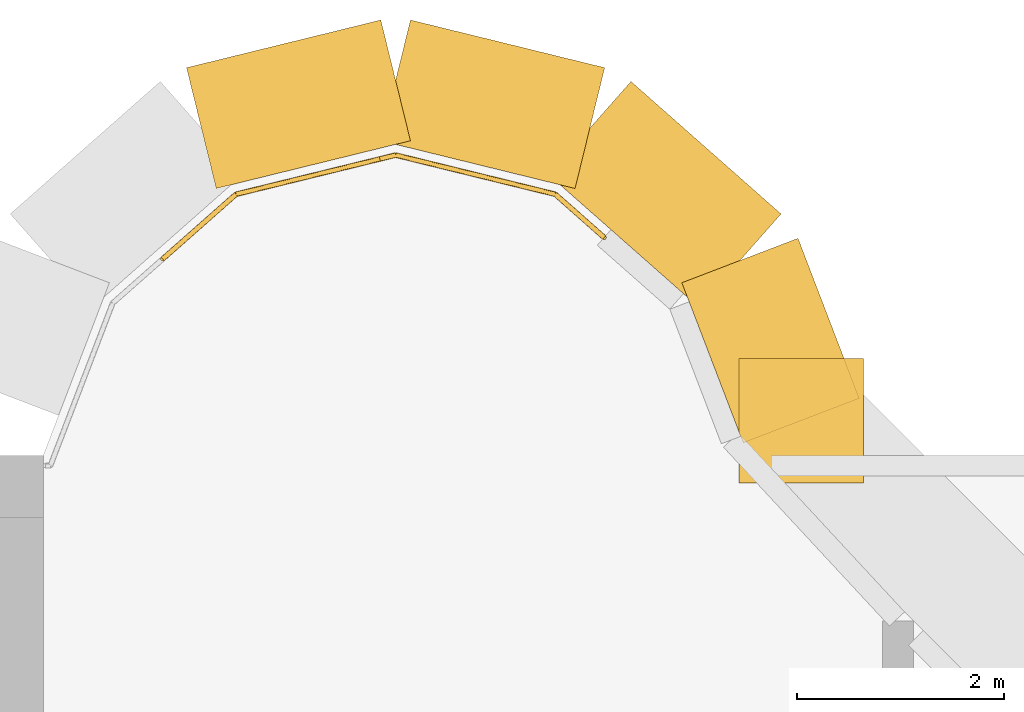
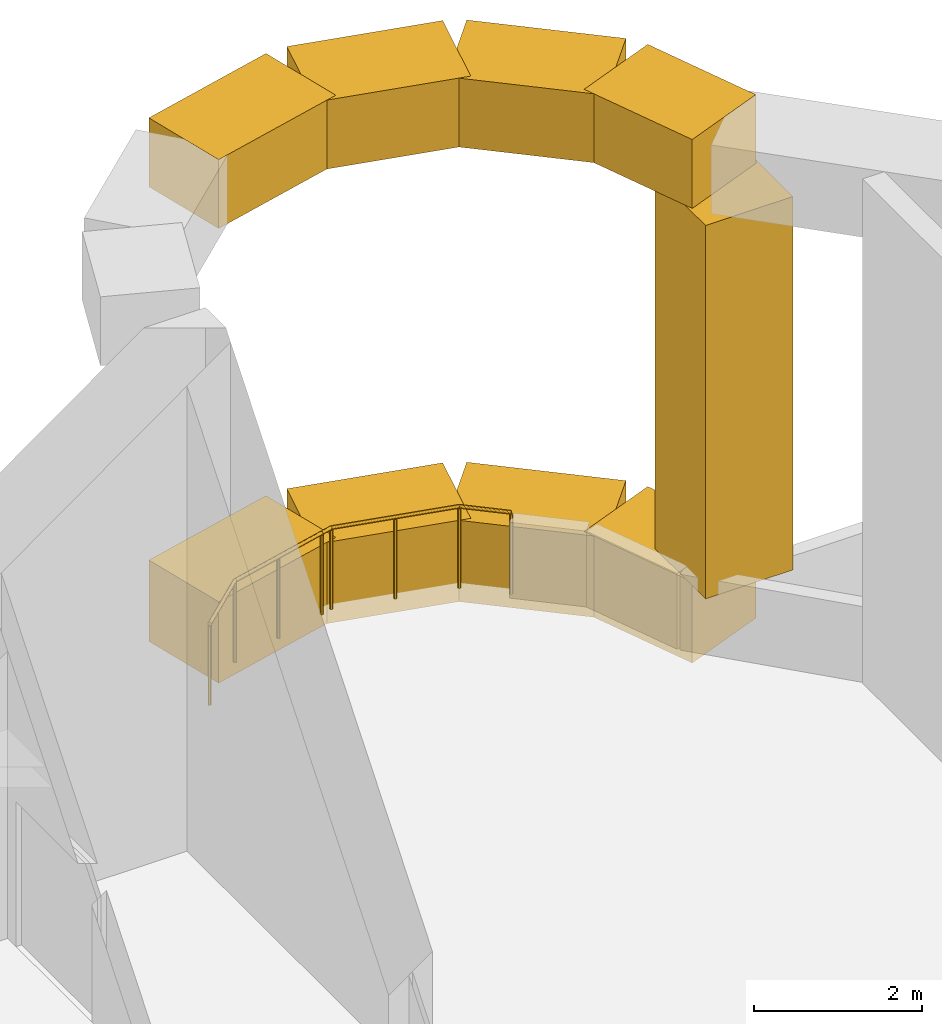
# One storey, part 11 of 11: 9 coverings, 2 railings.
"""IFC4 building model written with IfcOpenShell, lengths in metres."""

from ifc_helpers import new_model, si_unit, direction, frame, origin, origin_2d, place, context, subcontext, project, spatial, rectangle, circle, extrude, source, transform, mapped, material, type_object, element, save


model = new_model("IFC4")

# Units and contexts
model_context = context("Model", 3, precision=1e-05, world=origin(), true_north=direction((0.0, 1.0)))
body_context = subcontext(model_context, "Body", "Model", "MODEL_VIEW")
ifc_project = project(units=[si_unit("LENGTHUNIT", "METRE"), si_unit("AREAUNIT", "SQUARE_METRE"), si_unit("VOLUMEUNIT", "CUBIC_METRE"), si_unit("PLANEANGLEUNIT", "RADIAN"), si_unit("MASSUNIT", "GRAM", prefix="KILO")], contexts=[model_context])

# Site, building, storey
site_placement = place(None, origin())
site = spatial("IfcSite", under=ifc_project, at=site_placement, CompositionType="ELEMENT")
building_placement = place(site_placement, origin())
building = spatial("IfcBuilding", under=site, at=building_placement, Name="Vanashikhar Sky Hotel", CompositionType="ELEMENT")
storey_placement = place(building_placement, frame((0.0, 0.0, 206.39990234375)))
storey = spatial("IfcBuildingStorey", under=building, at=storey_placement, Name="L50", CompositionType="ELEMENT", Elevation=206.39990234375)

# Railings
ifc_material_1 = material(Name="Stainless steel 316", Category="steel")
railing_type = type_object("IfcRailingType", Name="Open edge guard 1200", PredefinedType="GUARDRAIL", material=ifc_material_1)
shared_shape_1 = source(origin(), body_context, "Body", "SweptSolid", [
    extrude(circle(Radius=0.02392578125, at=origin_2d()), frame((0.0, 0.0, 1.17578125), z_axis=(0.749747186246, 0.661724381231, 0.0), x_axis=(-0.661724381231, 0.749747186246, 0.0)), (0.0, 0.0, 1.0), 0.943115234375),
    extrude(circle(Radius=0.02392578125, at=origin_2d()), frame((0.70703125, 0.6240234375, 1.17578125), z_axis=(0.971158629261, 0.238434302928, 0.0), x_axis=(-0.238434302928, 0.971158629261, 0.0)), (0.0, 0.0, 1.0), 1.429443359375),
    extrude(circle(Radius=0.02099609375, at=origin_2d()), origin(), (0.0, 0.0, 1.0), 1.15185546875),
    extrude(circle(Radius=0.02099609375, at=origin_2d()), frame((0.70703125, 0.6240234375, 0.0)), (0.0, 0.0, 1.0), 1.15185546875),
    extrude(circle(Radius=0.02099609375, at=origin_2d()), frame((1.401123046875, 0.79443359375, 0.0)), (0.0, 0.0, 1.0), 1.15185546875),
    extrude(circle(Radius=0.02099609375, at=origin_2d()), frame((2.09521484375, 0.96484375, 0.0)), (0.0, 0.0, 1.0), 1.15185546875),
])
railing_1_placement = place(storey_placement, frame((76.752685546875, 43.894775390625, 0.0)))
element("IfcRailing", 1, at=railing_1_placement, inside=storey, type_object=railing_type, Name="Open edge guard", PredefinedType="GUARDRAIL", context=body_context, shape_type="MappedRepresentation", body=[
    mapped(shared_shape_1, transform((0.0, 0.0, 0.0), scale=1.0)),
])
shared_shape_2 = source(origin(), body_context, "Body", "SweptSolid", [
    extrude(circle(Radius=0.02392578125, at=origin_2d()), frame((0.0, 0.0, 1.17578125), z_axis=(0.971142756738, 0.238498943469, 0.0), x_axis=(-0.238498943469, 0.971142756738, 0.0)), (0.0, 0.0, 1.0), 0.15673828125),
    extrude(circle(Radius=0.02392578125, at=origin_2d()), frame((0.152099609375, 0.037353515625, 1.17578125), z_axis=(0.971157062052, -0.238440686181, 0.0), x_axis=(0.238440686181, 0.971157062052, 0.0)), (0.0, 0.0, 1.0), 1.5859375),
    extrude(circle(Radius=0.02392578125, at=origin_2d()), frame((1.6923828125, -0.3408203125, 1.17578125), z_axis=(0.749713466522, -0.661762584403, 0.0), x_axis=(0.661762584403, 0.749713466522, 0.0)), (0.0, 0.0, 1.0), 0.630126953125),
    extrude(circle(Radius=0.02099609375, at=origin_2d()), origin(), (0.0, 0.0, 1.0), 1.15185546875),
    extrude(circle(Radius=0.02099609375, at=origin_2d()), frame((0.152099609375, 0.037353515625, 0.0)), (0.0, 0.0, 1.0), 1.15185546875),
    extrude(circle(Radius=0.02099609375, at=origin_2d()), frame((0.92236328125, -0.15185546875, 0.0)), (0.0, 0.0, 1.0), 1.15185546875),
    extrude(circle(Radius=0.02099609375, at=origin_2d()), frame((1.6923828125, -0.3408203125, 0.0)), (0.0, 0.0, 1.0), 1.15185546875),
    extrude(circle(Radius=0.02099609375, at=origin_2d()), frame((2.164794921875, -0.7578125, 0.0)), (0.0, 0.0, 1.0), 1.15185546875),
])
railing_2_placement = place(storey_placement, frame((78.847900390625, 44.859619140625, 0.0)))
element("IfcRailing", 2, at=railing_2_placement, inside=storey, type_object=railing_type, Name="Open edge guard", PredefinedType="GUARDRAIL", context=body_context, shape_type="MappedRepresentation", body=[
    mapped(shared_shape_2, transform((0.0, 0.0, 0.0), scale=1.0)),
])

# Coverings
ifc_material_2 = material(Name="Concrete M60 dark", Category="concrete")
covering_type = type_object("IfcCoveringType", Name="Wind floor portal frame", PredefinedType="CLADDING", material=ifc_material_2)
shared_shape_3 = source(origin(), body_context, "Body", "SweptSolid", [
    extrude(rectangle(XDim=1.65478515625, YDim=1.199951171875, at=origin_2d()), origin(), (0.0, 0.0, 1.0), 1.0),
])
covering_1_placement = place(storey_placement, frame((82.61865234375, 43.106689453125, 6.320068359375), z_axis=(0.0, 0.0, 1.0), x_axis=(-0.357716100175, 0.933830386995, 0.0)))
element("IfcCovering", 3, at=covering_1_placement, inside=storey, type_object=covering_type, Name="Portal frame head", PredefinedType="CLADDING", context=body_context, shape_type="MappedRepresentation", body=[
    mapped(shared_shape_3, transform((0.0, 0.0, 0.0), scale=1.0)),
])
shared_shape_4 = source(origin(), body_context, "Body", "SweptSolid", [
    extrude(rectangle(XDim=1.65478515625, YDim=1.199951171875, at=origin_2d()), origin(), (0.0, 0.0, 1.0), 1.179931640625),
])
covering_2_placement = place(storey_placement, frame((82.61865234375, 43.106689453125, -0.27978515625), z_axis=(0.0, 0.0, 1.0), x_axis=(-0.357716100175, 0.933830386995, 0.0)))
element("IfcCovering", 4, at=covering_2_placement, inside=storey, type_object=covering_type, Name="Portal frame sill", PredefinedType="CLADDING", context=body_context, shape_type="MappedRepresentation", body=[
    mapped(shared_shape_4, transform((0.0, 0.0, 0.0), scale=1.0)),
])
shared_shape_5 = source(origin(), body_context, "Body", "SweptSolid", [
    extrude(rectangle(XDim=1.931640625, YDim=1.199951171875, at=origin_2d()), origin(), (0.0, 0.0, 1.0), 1.0),
])
covering_3_placement = place(storey_placement, frame((81.598388671875, 44.518310546875, 6.320068359375), z_axis=(0.0, 0.0, 1.0), x_axis=(-0.749741606437, 0.661730703214, 0.0)))
element("IfcCovering", 5, at=covering_3_placement, inside=storey, type_object=covering_type, Name="Portal frame head", PredefinedType="CLADDING", context=body_context, shape_type="MappedRepresentation", body=[
    mapped(shared_shape_5, transform((0.0, 0.0, 0.0), scale=1.0)),
])
shared_shape_6 = source(origin(), body_context, "Body", "SweptSolid", [
    extrude(rectangle(XDim=1.931640625, YDim=1.199951171875, at=origin_2d()), origin(), (0.0, 0.0, 1.0), 1.179931640625),
])
covering_4_placement = place(storey_placement, frame((81.598388671875, 44.518310546875, -0.27978515625), z_axis=(0.0, 0.0, 1.0), x_axis=(-0.749741606437, 0.661730703214, 0.0)))
element("IfcCovering", 6, at=covering_4_placement, inside=storey, type_object=covering_type, Name="Portal frame sill", PredefinedType="CLADDING", context=body_context, shape_type="MappedRepresentation", body=[
    mapped(shared_shape_6, transform((0.0, 0.0, 0.0), scale=1.0)),
])
shared_shape_7 = source(origin(), body_context, "Body", "SweptSolid", [
    extrude(rectangle(XDim=1.93017578125, YDim=1.199951171875, at=origin_2d()), origin(), (0.0, 0.0, 1.0), 1.0),
])
for number, where, z_axis, x_axis, name in (
    (7, (79.937255859375, 45.3876953125, 6.320068359375), (0.0, 0.0, 1.0), (-0.971146768161, 0.23848260878, 0.0), "Portal frame head"),
    (8, (78.062744140625, 45.3876953125, 6.320068359375), (0.0, 0.0, 1.0), (-0.971146768161, -0.23848260878, 0.0), "Portal frame head"),
):
    element("IfcCovering", number, at=place(storey_placement, frame(where, z_axis=z_axis, x_axis=x_axis)), inside=storey, type_object=covering_type, Name=name, PredefinedType="CLADDING", context=body_context, shape_type="MappedRepresentation", body=[
        mapped(shared_shape_7, transform((0.0, 0.0, 0.0), scale=1.0)),
    ])
shared_shape_8 = source(origin(), body_context, "Body", "SweptSolid", [
    extrude(rectangle(XDim=1.93017578125, YDim=1.199951171875, at=origin_2d()), origin(), (0.0, 0.0, 1.0), 1.179931640625),
])
for number, where, z_axis, x_axis, name in (
    (9, (79.937255859375, 45.3876953125, -0.27978515625), (0.0, 0.0, 1.0), (-0.971146768161, 0.23848260878, 0.0), "Portal frame sill"),
    (10, (78.062744140625, 45.3876953125, -0.27978515625), (0.0, 0.0, 1.0), (-0.971146768161, -0.23848260878, 0.0), "Portal frame sill"),
):
    element("IfcCovering", number, at=place(storey_placement, frame(where, z_axis=z_axis, x_axis=x_axis)), inside=storey, type_object=covering_type, Name=name, PredefinedType="CLADDING", context=body_context, shape_type="MappedRepresentation", body=[
        mapped(shared_shape_8, transform((0.0, 0.0, 0.0), scale=1.0)),
    ])
shared_shape_9 = source(origin(), body_context, "Body", "SweptSolid", [
    extrude(rectangle(XDim=1.199951171875, YDim=1.199951171875, at=origin_2d()), origin(), (0.0, 0.0, 1.0), 5.419921875),
])
covering_5_placement = place(storey_placement, frame((82.91455078125, 42.333984375, 0.900146484375), z_axis=(0.0, 0.0, 1.0), x_axis=(1.0, 0.0, 0.0)))
element("IfcCovering", 11, at=covering_5_placement, inside=storey, type_object=covering_type, Name="Portal frame jamb", PredefinedType="CLADDING", context=body_context, shape_type="MappedRepresentation", body=[
    mapped(shared_shape_9, transform((0.0, 0.0, 0.0), scale=1.0)),
])

save(model, "model.ifc")
